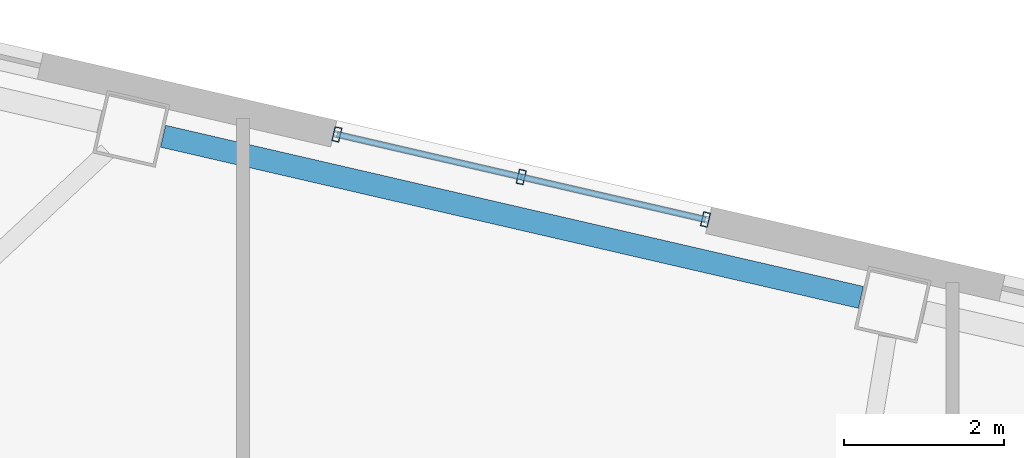
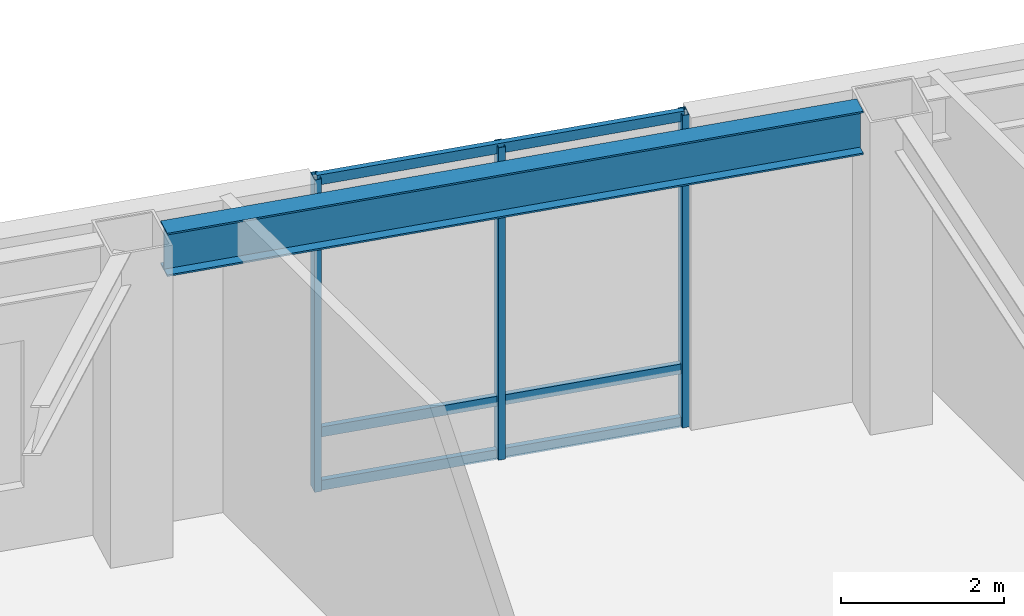
# One storey, part 6 of 19: 6 members, 1 beam, 1 element without a shape of its own.
"""IFC4 building model written with IfcOpenShell, lengths in metres."""

from ifc_helpers import new_model, si_unit, direction, frame, origin, origin_2d, place, context, subcontext, project, spatial, hollow_rectangle, i_section, extrude, material, layer, layer_set, material_profile, profile_set, type_object, element, aggregate, save


model = new_model("IFC4")

# Units and contexts
model_context = context("Model", 3, precision=1e-05, world=origin(), true_north=direction((0.0, 1.0)))
body_context = subcontext(model_context, "Body", "Model", "MODEL_VIEW")
ifc_project = project(units=[si_unit("LENGTHUNIT", "METRE"), si_unit("AREAUNIT", "SQUARE_METRE"), si_unit("VOLUMEUNIT", "CUBIC_METRE"), si_unit("PLANEANGLEUNIT", "RADIAN"), si_unit("MASSUNIT", "GRAM", prefix="KILO")], contexts=[model_context])

# Site, building, storey
site_placement = place(None, origin())
site = spatial("IfcSite", under=ifc_project, at=site_placement, CompositionType="ELEMENT")
building_placement = place(site_placement, origin())
building = spatial("IfcBuilding", under=site, at=building_placement, Name="Tavrogorsk Clinical Tower", CompositionType="ELEMENT")
storey_placement = place(building_placement, frame((0.0, 0.0, 28.39990234375)))
storey = spatial("IfcBuildingStorey", under=building, at=storey_placement, Name="L05", CompositionType="ELEMENT", Elevation=28.39990234375)

# Curtain wall, members
ifc_material_1 = material(Name="Anodised aluminium and triple IGU glazing", Category="aluminium")
ifc_layer = layer(ifc_material_1, 0.179931640625)
ifc_layer_set = layer_set([ifc_layer], Name="Anodised aluminium and triple IGU glazing")
curtain_wall_type = type_object("IfcCurtainWallType", Name="CW2_NorthSlot", PredefinedType="NOTDEFINED", material=ifc_layer_set)
curtain_wall_placement = place(storey_placement, origin())
curtain_wall = element("IfcCurtainWall", 1, at=curtain_wall_placement, inside=storey, type_object=curtain_wall_type, Name="L05 Curtain Wall CW-L05-N-SLOT-1", PredefinedType="NOTDEFINED")
ifc_material_2 = material(Name="Anodised aluminium alloy AW-6060", Category="aluminium")
ifc_material_profile_1 = material_profile(ifc_material_2, hollow_rectangle(XDim=0.090087890625, YDim=0.179931640625, WallThickness=0.00634765625, at=origin_2d()), Name="RHS-180x90x6.3")
ifc_profile_set_1 = profile_set([ifc_material_profile_1], Name="Anodised aluminium alloy AW-6060")
member_type_1 = type_object("IfcMemberType", Name="CwMullion_180x90", PredefinedType="MULLION", material=ifc_profile_set_1)
member_1_placement = place(storey_placement, frame((-3.879638671875, 24.640625, 0.0), z_axis=(0.0, 0.0, 1.0), x_axis=(-0.974370102963, 0.224950888978, 0.0)))
member_1 = element("IfcMember", 2, at=member_1_placement, type_object=member_type_1, Name="CW-L05-N-SLOT-1 Mullion 1", PredefinedType="MULLION", context=body_context, shape_type="SweptSolid", body=[
    extrude(hollow_rectangle(XDim=0.090087890625, YDim=0.179931640625, WallThickness=0.00634765625, at=origin_2d()), origin(), (0.0, 0.0, 1.0), 4.68017578125),
])
member_2_placement = place(storey_placement, frame((-6.17822265625, 25.171142578125, 0.0), z_axis=(0.0, 0.0, 1.0), x_axis=(-0.974370102963, 0.224950888978, 0.0)))
member_2 = element("IfcMember", 3, at=member_2_placement, type_object=member_type_1, Name="CW-L05-N-SLOT-1 Mullion 2", PredefinedType="MULLION", context=body_context, shape_type="SweptSolid", body=[
    extrude(hollow_rectangle(XDim=0.090087890625, YDim=0.179931640625, WallThickness=0.00634765625, at=origin_2d()), origin(), (0.0, 0.0, 1.0), 4.68017578125),
])
member_3_placement = place(storey_placement, frame((-8.476806640625, 25.701904296875, 0.0), z_axis=(0.0, 0.0, 1.0), x_axis=(-0.974370102963, 0.224950888978, 0.0)))
member_3 = element("IfcMember", 4, at=member_3_placement, type_object=member_type_1, Name="CW-L05-N-SLOT-1 Mullion 3", PredefinedType="MULLION", context=body_context, shape_type="SweptSolid", body=[
    extrude(hollow_rectangle(XDim=0.090087890625, YDim=0.179931640625, WallThickness=0.00634765625, at=origin_2d()), origin(), (0.0, 0.0, 1.0), 4.68017578125),
])
ifc_material_3 = material(Name="Anodised aluminium alloy AW-6060", Category="aluminium")
ifc_material_profile_2 = material_profile(ifc_material_3, hollow_rectangle(XDim=0.074951171875, YDim=0.14990234375, WallThickness=0.0048828125, at=origin_2d()), Name="RHS-150x75x5")
ifc_profile_set_2 = profile_set([ifc_material_profile_2], Name="Anodised aluminium alloy AW-6060")
member_type_2 = type_object("IfcMemberType", Name="CwTransom_150x75", PredefinedType="USERDEFINED", material=ifc_profile_set_2)
member_4_placement = place(storey_placement, frame((-3.879638671875, 24.640625, 0.050048828125), z_axis=(-0.974372877948, 0.22493886885, 0.0), x_axis=(-0.22493886885, -0.974372877948, 0.0)))
member_4 = element("IfcMember", 5, at=member_4_placement, type_object=member_type_2, Name="CW-L05-N-SLOT-1 Transom 1", ObjectType="TRANSOM", PredefinedType="USERDEFINED", context=body_context, shape_type="SweptSolid", body=[
    extrude(hollow_rectangle(XDim=0.074951171875, YDim=0.14990234375, WallThickness=0.0048828125, at=origin_2d()), origin(), (0.0, 0.0, 1.0), 4.718017578125),
])
member_5_placement = place(storey_placement, frame((-3.879638671875, 24.640625, 0.85009765625), z_axis=(-0.974372877948, 0.22493886885, 0.0), x_axis=(-0.22493886885, -0.974372877948, 0.0)))
member_5 = element("IfcMember", 6, at=member_5_placement, type_object=member_type_2, Name="CW-L05-N-SLOT-1 Transom 2", ObjectType="TRANSOM", PredefinedType="USERDEFINED", context=body_context, shape_type="SweptSolid", body=[
    extrude(hollow_rectangle(XDim=0.074951171875, YDim=0.14990234375, WallThickness=0.0048828125, at=origin_2d()), origin(), (0.0, 0.0, 1.0), 4.718017578125),
])
member_6_placement = place(storey_placement, frame((-3.879638671875, 24.640625, 4.630126953125), z_axis=(-0.974372877948, 0.22493886885, 0.0), x_axis=(-0.22493886885, -0.974372877948, 0.0)))
member_6 = element("IfcMember", 7, at=member_6_placement, type_object=member_type_2, Name="CW-L05-N-SLOT-1 Transom 3", ObjectType="TRANSOM", PredefinedType="USERDEFINED", context=body_context, shape_type="SweptSolid", body=[
    extrude(hollow_rectangle(XDim=0.074951171875, YDim=0.14990234375, WallThickness=0.0048828125, at=origin_2d()), origin(), (0.0, 0.0, 1.0), 4.718017578125),
])
aggregate(curtain_wall, [member_1, member_2, member_3, member_4, member_5, member_6])

# Beam
ifc_material_4 = material(Name="Structural steel S390", Category="steel")
ifc_material_profile_3 = material_profile(ifc_material_4, i_section(OverallWidth=0.280029296875, OverallDepth=0.64990234375, WebThickness=0.01611328125, FlangeThickness=0.02490234375, at=origin_2d()), Name="B-650x280x16x25")
ifc_profile_set_3 = profile_set([ifc_material_profile_3], Name="Structural steel S390")
beam_type = type_object("IfcBeamType", Name="SpandrelBeam_B650", PredefinedType="SPANDREL", material=ifc_profile_set_3)
beam_placement = place(storey_placement, frame((-1.941162109375, 23.669677734375, 4.35498046875), z_axis=(-0.974372766602, 0.224939351168, 0.0), x_axis=(-0.224939351168, -0.974372766602, 0.0)))
element("IfcBeam", 8, at=beam_placement, inside=storey, type_object=beam_type, Name="L05 Perimeter Spandrel N5-N6", PredefinedType="SPANDREL", context=body_context, shape_type="SweptSolid", body=[
    extrude(i_section(OverallWidth=0.280029296875, OverallDepth=0.64990234375, WebThickness=0.01611328125, FlangeThickness=0.02490234375, at=origin_2d()), origin(), (0.0, 0.0, 1.0), 8.9326171875),
])

save(model, "model.ifc")
